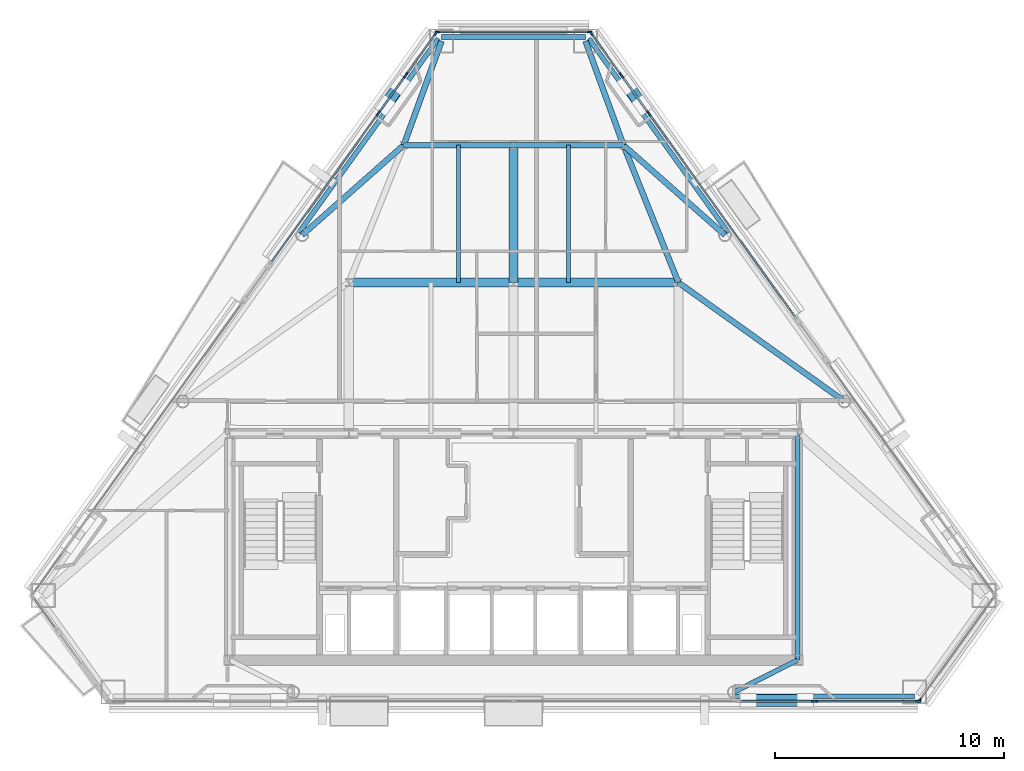
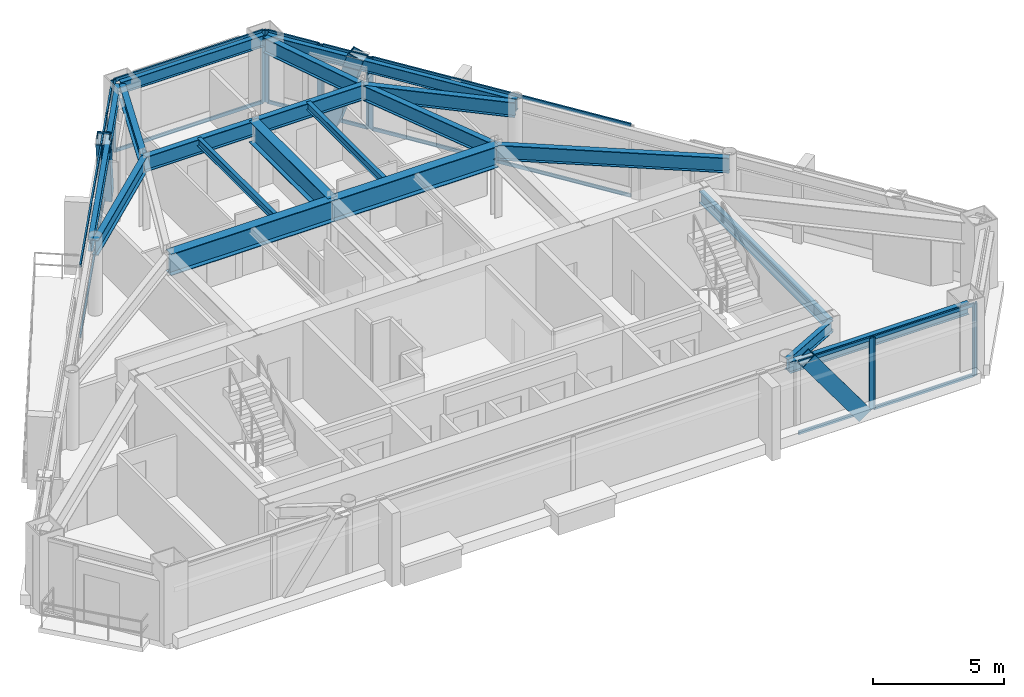
# One storey, part 4 of 11: 37 members, 19 beams, 10 elements without a shape of their own.
"""IFC4 building model written with IfcOpenShell, lengths in metres."""

from ifc_helpers import new_model, si_unit, direction, frame, origin, origin_2d, place, context, subcontext, project, spatial, rectangle, hollow_rectangle, i_section, extrude, material, layer, layer_set, material_profile, profile_set, type_object, element, aggregate, save


model = new_model("IFC4")

# Units and contexts
model_context = context("Model", 3, precision=1e-05, world=origin(), true_north=direction((0.0, 1.0)))
body_context = subcontext(model_context, "Body", "Model", "MODEL_VIEW")
ifc_project = project(units=[si_unit("LENGTHUNIT", "METRE"), si_unit("AREAUNIT", "SQUARE_METRE"), si_unit("VOLUMEUNIT", "CUBIC_METRE"), si_unit("PLANEANGLEUNIT", "RADIAN"), si_unit("MASSUNIT", "GRAM", prefix="KILO")], contexts=[model_context])

# Site, building, storey
site_placement = place(None, origin())
site = spatial("IfcSite", under=ifc_project, at=site_placement, CompositionType="ELEMENT")
building_placement = place(site_placement, origin())
building = spatial("IfcBuilding", under=site, at=building_placement, Name="Talgorran Terracotta Tower", CompositionType="ELEMENT")
storey_placement = place(building_placement, frame((0.0, 0.0, 210.89990234375)))
storey = spatial("IfcBuildingStorey", under=building, at=storey_placement, Name="L55", CompositionType="ELEMENT", Elevation=210.89990234375)

# Beams
ifc_material_1 = material(Name="Steel Grade 350 (350L0)", Category="steel")
ifc_material_profile_1 = material_profile(ifc_material_1, i_section(OverallWidth=0.39990234375, OverallDepth=1.0, WebThickness=0.01611328125, FlangeThickness=0.031005859375, at=origin_2d()), Name="1000WB296")
ifc_profile_set_1 = profile_set([ifc_material_profile_1], Name="Steel Grade 350 (350L0)")
beam_type_1 = type_object("IfcBeamType", Name="BM_1000WB296", PredefinedType="BEAM", material=ifc_profile_set_1)
for number, where, z_axis, x_axis, name in (
    (1, (-7.199951171875, 2.39990234375, 2.84521484375), (1.0, 0.0, 0.0), (0.0, 1.0, 0.0), "L55 Floor Girder G04"),
    (2, (0.0, 2.39990234375, 2.84521484375), (1.0, 0.0, 0.0), (0.0, 1.0, 0.0), "L55 Floor Girder G05"),
):
    element("IfcBeam", number, at=place(storey_placement, frame(where, z_axis=z_axis, x_axis=x_axis)), inside=storey, type_object=beam_type_1, Name=name, PredefinedType="BEAM", context=body_context, shape_type="SweptSolid", body=[
        extrude(i_section(OverallWidth=0.39990234375, OverallDepth=1.0, WebThickness=0.01611328125, FlangeThickness=0.031005859375, at=origin_2d()), origin(), (0.0, 0.0, 1.0), 7.199951171875),
    ])
beam_1_placement = place(storey_placement, frame((0.0, 2.39990234375, 2.84521484375), z_axis=(0.0, 1.0, 0.0), x_axis=(-1.0, 0.0, 0.0)))
element("IfcBeam", 3, at=beam_1_placement, inside=storey, type_object=beam_type_1, Name="L55 Floor Girder G09", PredefinedType="BEAM", context=body_context, shape_type="SweptSolid", body=[
    extrude(i_section(OverallWidth=0.39990234375, OverallDepth=1.0, WebThickness=0.01611328125, FlangeThickness=0.031005859375, at=origin_2d()), origin(), (0.0, 0.0, 1.0), 6.0),
])
ifc_material_2 = material(Name="Steel S355 (300PLUS)", Category="steel")
ifc_material_profile_2 = material_profile(ifc_material_2, i_section(OverallWidth=0.25, OverallDepth=0.699951171875, WebThickness=0.011962890625, FlangeThickness=0.02392578125, at=origin_2d()), Name="700WB150")
ifc_profile_set_2 = profile_set([ifc_material_profile_2], Name="Steel S355 (300PLUS)")
beam_type_2 = type_object("IfcBeamType", Name="BM_700WB150", PredefinedType="BEAM", material=ifc_profile_set_2)
beam_2_placement = place(storey_placement, frame((7.199951171875, 2.39990234375, 2.9951171875), z_axis=(0.813243309998, -0.581923808366, 0.0), x_axis=(0.581923808366, 0.813243309998, 0.0)))
element("IfcBeam", 4, at=beam_2_placement, inside=storey, type_object=beam_type_2, Name="L55 Floor Girder G07", PredefinedType="BEAM", context=body_context, shape_type="SweptSolid", body=[
    extrude(i_section(OverallWidth=0.25, OverallDepth=0.699951171875, WebThickness=0.011962890625, FlangeThickness=0.02392578125, at=origin_2d()), origin(), (0.0, 0.0, 1.0), 8.923583984375),
])
beam_3_placement = place(storey_placement, frame((7.199951171875, 2.39990234375, 2.9951171875), z_axis=(-0.371377648723, 0.928481901832, 0.0), x_axis=(-0.928481901832, -0.371377648723, 0.0)))
element("IfcBeam", 5, at=beam_3_placement, inside=storey, type_object=beam_type_2, Name="L55 Floor Girder G10", PredefinedType="BEAM", context=body_context, shape_type="SweptSolid", body=[
    extrude(i_section(OverallWidth=0.25, OverallDepth=0.699951171875, WebThickness=0.011962890625, FlangeThickness=0.02392578125, at=origin_2d()), origin(), (0.0, 0.0, 1.0), 6.462158203125),
])
for number, where, z_axis, x_axis, name in (
    (6, (-4.800048828125, 8.39990234375, 2.9951171875), (1.0, 0.0, 0.0), (0.0, 1.0, 0.0), "L55 Floor Girder G11"),
    (7, (0.0, 8.39990234375, 2.9951171875), (1.0, 0.0, 0.0), (0.0, 1.0, 0.0), "L55 Floor Girder G12"),
):
    element("IfcBeam", number, at=place(storey_placement, frame(where, z_axis=z_axis, x_axis=x_axis)), inside=storey, type_object=beam_type_2, Name=name, PredefinedType="BEAM", context=body_context, shape_type="SweptSolid", body=[
        extrude(i_section(OverallWidth=0.25, OverallDepth=0.699951171875, WebThickness=0.011962890625, FlangeThickness=0.02392578125, at=origin_2d()), origin(), (0.0, 0.0, 1.0), 4.800048828125),
    ])
for number, where, z_axis, x_axis, name in (
    (8, (-4.800048828125, 8.39990234375, 2.9951171875), (-0.748742442486, -0.662861037338, 0.0), (0.662861037338, -0.748742442486, 0.0), "L55 Floor Girder G13"),
    (9, (4.800048828125, 8.39990234375, 2.9951171875), (0.748742442486, -0.662861037338, 0.0), (0.662861037338, 0.748742442486, 0.0), "L55 Floor Girder G14"),
):
    element("IfcBeam", number, at=place(storey_placement, frame(where, z_axis=z_axis, x_axis=x_axis)), inside=storey, type_object=beam_type_2, Name=name, PredefinedType="BEAM", context=body_context, shape_type="SweptSolid", body=[
        extrude(i_section(OverallWidth=0.25, OverallDepth=0.699951171875, WebThickness=0.011962890625, FlangeThickness=0.02392578125, at=origin_2d()), origin(), (0.0, 0.0, 1.0), 5.92431640625),
    ])
for number, where, z_axis, x_axis, name in (
    (10, (-4.800048828125, 8.39990234375, 2.9951171875), (0.341933346836, 0.939724207585, 0.0), (-0.939724207585, 0.341933346836, 0.0), "L55 Floor Girder G15"),
    (11, (4.800048828125, 8.39990234375, 2.9951171875), (-0.341933346836, 0.939724207585, 0.0), (-0.939724207585, -0.341933346836, 0.0), "L55 Floor Girder G16"),
):
    element("IfcBeam", number, at=place(storey_placement, frame(where, z_axis=z_axis, x_axis=x_axis)), inside=storey, type_object=beam_type_2, Name=name, PredefinedType="BEAM", context=body_context, shape_type="SweptSolid", body=[
        extrude(i_section(OverallWidth=0.25, OverallDepth=0.699951171875, WebThickness=0.011962890625, FlangeThickness=0.02392578125, at=origin_2d()), origin(), (0.0, 0.0, 1.0), 4.841552734375),
    ])
ifc_material_profile_3 = material_profile(ifc_material_2, i_section(OverallWidth=0.17138671875, OverallDepth=0.355712890625, WebThickness=0.00732421875, FlangeThickness=0.011474609375, at=origin_2d()), Name="360UB50.7")
ifc_profile_set_3 = profile_set([ifc_material_profile_3], Name="Steel S355 (300PLUS)")
beam_type_3 = type_object("IfcBeamType", Name="BM_JS_360UB51", PredefinedType="JOIST", material=ifc_profile_set_3)
for number, where, z_axis, x_axis, name in (
    (12, (-2.39990234375, 2.39990234375, 3.167236328125), (0.0, 1.0, 0.0), (-1.0, 0.0, 0.0), "L55 Secondary Joist J03"),
    (13, (2.39990234375, 2.39990234375, 3.167236328125), (0.0, 1.0, 0.0), (-1.0, 0.0, 0.0), "L55 Secondary Joist J04"),
):
    element("IfcBeam", number, at=place(storey_placement, frame(where, z_axis=z_axis, x_axis=x_axis)), inside=storey, type_object=beam_type_3, Name=name, PredefinedType="JOIST", context=body_context, shape_type="SweptSolid", body=[
        extrude(i_section(OverallWidth=0.17138671875, OverallDepth=0.355712890625, WebThickness=0.00732421875, FlangeThickness=0.011474609375, at=origin_2d()), origin(), (0.0, 0.0, 1.0), 6.0),
    ])
ifc_material_profile_4 = material_profile(ifc_material_2, i_section(OverallWidth=0.209228515625, OverallDepth=0.532958984375, WebThickness=0.01025390625, FlangeThickness=0.015625, at=origin_2d()), Name="530UB92.4")
ifc_profile_set_4 = profile_set([ifc_material_profile_4], Name="Steel S355 (300PLUS)")
beam_type_4 = type_object("IfcBeamType", Name="BM_SP_530UB92", PredefinedType="SPANDREL", material=ifc_profile_set_4)
beam_4_placement = place(storey_placement, frame((9.630859375, -15.6767578125, 3.07861328125), z_axis=(1.0, 0.0, 0.0), x_axis=(0.0, 1.0, 0.0)))
element("IfcBeam", 14, at=beam_4_placement, inside=storey, type_object=beam_type_4, Name="L55 Perimeter Spandrel Beam FC2-MC3", PredefinedType="SPANDREL", context=body_context, shape_type="SweptSolid", body=[
    extrude(i_section(OverallWidth=0.209228515625, OverallDepth=0.532958984375, WebThickness=0.01025390625, FlangeThickness=0.015625, at=origin_2d()), origin(), (0.0, 0.0, 1.0), 7.8798828125),
])
beam_5_placement = place(storey_placement, frame((9.382080078125, 4.577880859375, 3.07861328125), z_axis=(-0.583547851422, 0.812078755479, 0.0), x_axis=(-0.812078755479, -0.583547851422, 0.0)))
element("IfcBeam", 15, at=beam_5_placement, inside=storey, type_object=beam_type_4, Name="L55 Perimeter Spandrel Beam FC4-MC5", PredefinedType="SPANDREL", context=body_context, shape_type="SweptSolid", body=[
    extrude(i_section(OverallWidth=0.209228515625, OverallDepth=0.532958984375, WebThickness=0.01025390625, FlangeThickness=0.015625, at=origin_2d()), origin(), (0.0, 0.0, 1.0), 10.4384765625),
])
beam_6_placement = place(storey_placement, frame((3.14453125, 13.129638671875, 3.07861328125), z_axis=(-1.0, 0.0, 0.0), x_axis=(0.0, -1.0, 0.0)))
element("IfcBeam", 16, at=beam_6_placement, inside=storey, type_object=beam_type_4, Name="L55 Perimeter Spandrel Beam MC5-MC6", PredefinedType="SPANDREL", context=body_context, shape_type="SweptSolid", body=[
    extrude(i_section(OverallWidth=0.209228515625, OverallDepth=0.532958984375, WebThickness=0.01025390625, FlangeThickness=0.015625, at=origin_2d()), origin(), (0.0, 0.0, 1.0), 6.2890625),
])
beam_7_placement = place(storey_placement, frame((-3.290771484375, 13.0546875, 3.07861328125), z_axis=(-0.583547851422, -0.812078755479, 0.0), x_axis=(0.812078755479, -0.583547851422, 0.0)))
element("IfcBeam", 17, at=beam_7_placement, inside=storey, type_object=beam_type_4, Name="L55 Perimeter Spandrel Beam MC6-FC5", PredefinedType="SPANDREL", context=body_context, shape_type="SweptSolid", body=[
    extrude(i_section(OverallWidth=0.209228515625, OverallDepth=0.532958984375, WebThickness=0.01025390625, FlangeThickness=0.015625, at=origin_2d()), origin(), (0.0, 0.0, 1.0), 10.4384765625),
])
beam_8_placement = place(storey_placement, frame((12.39990234375, -14.10009765625, 3.07861328125), z_axis=(-0.892878892076, -0.450296884383, 0.0), x_axis=(0.450296884383, -0.892878892076, 0.0)))
element("IfcBeam", 18, at=beam_8_placement, inside=storey, type_object=beam_type_4, Name="L55 South-East Core Tie Beam", PredefinedType="SPANDREL", context=body_context, shape_type="SweptSolid", body=[
    extrude(i_section(OverallWidth=0.209228515625, OverallDepth=0.532958984375, WebThickness=0.01025390625, FlangeThickness=0.015625, at=origin_2d()), origin(), (0.0, 0.0, 1.0), 3.101318359375),
])
beam_9_placement = place(storey_placement, frame((12.39990234375, -14.10009765625, 3.07861328125), z_axis=(0.0, 1.0, 0.0), x_axis=(-1.0, 0.0, 0.0)))
element("IfcBeam", 19, at=beam_9_placement, inside=storey, type_object=beam_type_4, Name="L55 Core Frame Beam CFE", PredefinedType="SPANDREL", context=body_context, shape_type="SweptSolid", body=[
    extrude(i_section(OverallWidth=0.209228515625, OverallDepth=0.532958984375, WebThickness=0.01025390625, FlangeThickness=0.015625, at=origin_2d()), origin(), (0.0, 0.0, 1.0), 9.900146484375),
])

# Members
ifc_material_profile_5 = material_profile(ifc_material_1, hollow_rectangle(XDim=0.52001953125, YDim=0.659912109375, WallThickness=0.034912109375, at=origin_2d()), Name="WBOX660X520X35")
ifc_profile_set_5 = profile_set([ifc_material_profile_5], Name="Steel Grade 350 (350L0)")
member_type_1 = type_object("IfcMemberType", Name="MB_MEGA_660", PredefinedType="BRACE", material=ifc_profile_set_5)
member_1_placement = place(storey_placement, frame((12.740478515625, -15.856689453125, -0.02490234375), z_axis=(-0.589445506836, 0.0, 0.807808142117), x_axis=(0.0, -1.0, 0.0)))
element("IfcMember", 20, at=member_1_placement, inside=storey, type_object=member_type_1, Name="L55 Exterior Face Mega-Brace MB-3 (SEF)", PredefinedType="BRACE", context=body_context, shape_type="SweptSolid", body=[
    extrude(hollow_rectangle(XDim=0.52001953125, YDim=0.659912109375, WallThickness=0.034912109375, at=origin_2d()), origin(), (0.0, 0.0, 1.0), 4.20263671875),
])
for number, where, z_axis, x_axis, name in (
    (21, (4.9541015625, 11.04833984375, -0.02490234375), (0.182817156925, -0.254386966584, 0.949665814045), (0.812050884366, 0.583586635557, 0.0), "L55 Exterior Face Mega-Brace MB-3 (NEU)"),
    (22, (-4.9541015625, 11.04833984375, -0.02490234375), (-0.182817156925, -0.254386966584, 0.949665814045), (0.812050884366, -0.583586635557, 0.0), "L55 Exterior Face Mega-Brace MB-3 (NWU)"),
):
    element("IfcMember", number, at=place(storey_placement, frame(where, z_axis=z_axis, x_axis=x_axis)), inside=storey, type_object=member_type_1, Name=name, PredefinedType="BRACE", context=body_context, shape_type="SweptSolid", body=[
        extrude(hollow_rectangle(XDim=0.52001953125, YDim=0.659912109375, WallThickness=0.034912109375, at=origin_2d()), origin(), (0.0, 0.0, 1.0), 3.574951171875),
    ])

# Curtain wall, member
ifc_material_3 = material(Name="High-Wind Unitised Glazing", Category="glass")
ifc_layer = layer(ifc_material_3, 0.2099609375, Name="CW_SYS3_RES_HIGH")
ifc_layer_set = layer_set([ifc_layer], Name="High-Wind Unitised Glazing")
curtain_wall_type = type_object("IfcCurtainWallType", Name="CW_SYS3_RES_HIGH", PredefinedType="NOTDEFINED", material=ifc_layer_set)
curtain_wall_1_placement = place(storey_placement, origin())
curtain_wall_1 = element("IfcCurtainWall", 23, at=curtain_wall_1_placement, inside=storey, type_object=curtain_wall_type, Name="CW-L55-F1D", PredefinedType="NOTDEFINED")
ifc_material_4 = material(Name="Architectural Aluminium 6063-T6", Category="aluminium")
ifc_material_profile_6 = material_profile(ifc_material_4, rectangle(XDim=0.070068359375, YDim=0.199951171875, at=origin_2d()), Name="CWM70X200")
ifc_profile_set_6 = profile_set([ifc_material_profile_6], Name="Architectural Aluminium 6063-T6")
member_type_2 = type_object("IfcMemberType", Name="MUL_70X200", PredefinedType="MULLION", material=ifc_profile_set_6)
member_2_placement = place(storey_placement, frame((13.1171875, -15.896728515625, 0.0), z_axis=(0.0, 0.0, 1.0), x_axis=(0.0, 1.0, 0.0)))
member_2 = element("IfcMember", 24, at=member_2_placement, type_object=member_type_2, Name="CW-L55-1D mullion 2", PredefinedType="MULLION", context=body_context, shape_type="SweptSolid", body=[
    extrude(rectangle(XDim=0.070068359375, YDim=0.199951171875, at=origin_2d()), origin(), (0.0, 0.0, 1.0), 3.34521484375),
])

# Curtain wall, members
curtain_wall_2_placement = place(storey_placement, origin())
curtain_wall_2 = element("IfcCurtainWall", 25, at=curtain_wall_2_placement, inside=storey, type_object=curtain_wall_type, Name="CW-L55-F1E", PredefinedType="NOTDEFINED")
member_3_placement = place(storey_placement, frame((13.197265625, -15.896728515625, 0.0), z_axis=(0.0, 0.0, 1.0), x_axis=(0.0, 1.0, 0.0)))
member_3 = element("IfcMember", 26, at=member_3_placement, type_object=member_type_2, Name="CW-L55-1E mullion 1", PredefinedType="MULLION", context=body_context, shape_type="SweptSolid", body=[
    extrude(rectangle(XDim=0.070068359375, YDim=0.199951171875, at=origin_2d()), origin(), (0.0, 0.0, 1.0), 3.34521484375),
])
member_4_placement = place(storey_placement, frame((17.680908203125, -15.896728515625, 0.0), z_axis=(0.0, 0.0, 1.0), x_axis=(0.0, 1.0, 0.0)))
member_4 = element("IfcMember", 27, at=member_4_placement, type_object=member_type_2, Name="CW-L55-1E mullion 2", PredefinedType="MULLION", context=body_context, shape_type="SweptSolid", body=[
    extrude(rectangle(XDim=0.070068359375, YDim=0.199951171875, at=origin_2d()), origin(), (0.0, 0.0, 1.0), 3.34521484375),
])

# Curtain wall, member
curtain_wall_3_placement = place(storey_placement, origin())
curtain_wall_3 = element("IfcCurtainWall", 28, at=curtain_wall_3_placement, inside=storey, type_object=curtain_wall_type, Name="CW-L55-F2", PredefinedType="NOTDEFINED")
member_5_placement = place(storey_placement, frame((17.736328125, -15.8681640625, 0.0), z_axis=(0.0, 0.0, 1.0), x_axis=(-0.812075928954, 0.58355178486, 0.0)))
member_5 = element("IfcMember", 29, at=member_5_placement, type_object=member_type_2, Name="CW-L55-2 mullion 1", PredefinedType="MULLION", context=body_context, shape_type="SweptSolid", body=[
    extrude(rectangle(XDim=0.070068359375, YDim=0.199951171875, at=origin_2d()), origin(), (0.0, 0.0, 1.0), 3.34521484375),
])
aggregate(curtain_wall_3, [member_5])

curtain_wall_4_placement = place(storey_placement, origin())
curtain_wall_4 = element("IfcCurtainWall", 30, at=curtain_wall_4_placement, inside=storey, type_object=curtain_wall_type, Name="CW-L55-F41", PredefinedType="NOTDEFINED")
member_6_placement = place(storey_placement, frame((5.933837890625, 9.75341796875, 0.0), z_axis=(0.0, 0.0, 1.0), x_axis=(-0.812078928223, -0.583547611028, 0.0)))
member_6 = element("IfcMember", 31, at=member_6_placement, type_object=member_type_2, Name="CW-L55-41 mullion 2", PredefinedType="MULLION", context=body_context, shape_type="SweptSolid", body=[
    extrude(rectangle(XDim=0.070068359375, YDim=0.199951171875, at=origin_2d()), origin(), (0.0, 0.0, 1.0), 3.34521484375),
])

# Curtain wall, members
curtain_wall_5_placement = place(storey_placement, origin())
curtain_wall_5 = element("IfcCurtainWall", 32, at=curtain_wall_5_placement, inside=storey, type_object=curtain_wall_type, Name="CW-L55-F41B", PredefinedType="NOTDEFINED")
member_7_placement = place(storey_placement, frame((5.88720703125, 9.818359375, 0.0), z_axis=(0.0, 0.0, 1.0), x_axis=(-0.81207136039, -0.583558142462, 0.0)))
member_7 = element("IfcMember", 33, at=member_7_placement, type_object=member_type_2, Name="CW-L55-41B mullion 1", PredefinedType="MULLION", context=body_context, shape_type="SweptSolid", body=[
    extrude(rectangle(XDim=0.070068359375, YDim=0.199951171875, at=origin_2d()), origin(), (0.0, 0.0, 1.0), 3.34521484375),
])
member_8_placement = place(storey_placement, frame((4.73974609375, 11.41552734375, 0.0), z_axis=(0.0, 0.0, 1.0), x_axis=(-0.81207136039, -0.583558142462, 0.0)))
member_8 = element("IfcMember", 34, at=member_8_placement, type_object=member_type_2, Name="CW-L55-41B mullion 2", PredefinedType="MULLION", context=body_context, shape_type="SweptSolid", body=[
    extrude(rectangle(XDim=0.070068359375, YDim=0.199951171875, at=origin_2d()), origin(), (0.0, 0.0, 1.0), 3.34521484375),
])

curtain_wall_6_placement = place(storey_placement, origin())
curtain_wall_6 = element("IfcCurtainWall", 35, at=curtain_wall_6_placement, inside=storey, type_object=curtain_wall_type, Name="CW-L55-F41C", PredefinedType="NOTDEFINED")
member_9_placement = place(storey_placement, frame((4.69287109375, 11.48046875, 0.0), z_axis=(0.0, 0.0, 1.0), x_axis=(-0.812085653679, -0.583538251607, 0.0)))
member_9 = element("IfcMember", 36, at=member_9_placement, type_object=member_type_2, Name="CW-L55-41C mullion 1", PredefinedType="MULLION", context=body_context, shape_type="SweptSolid", body=[
    extrude(rectangle(XDim=0.070068359375, YDim=0.199951171875, at=origin_2d()), origin(), (0.0, 0.0, 1.0), 3.34521484375),
])
member_10_placement = place(storey_placement, frame((3.3935546875, 13.28857421875, 0.0), z_axis=(0.0, 0.0, 1.0), x_axis=(-0.812085653679, -0.583538251607, 0.0)))
member_10 = element("IfcMember", 37, at=member_10_placement, type_object=member_type_2, Name="CW-L55-41C mullion 2", PredefinedType="MULLION", context=body_context, shape_type="SweptSolid", body=[
    extrude(rectangle(XDim=0.070068359375, YDim=0.199951171875, at=origin_2d()), origin(), (0.0, 0.0, 1.0), 3.34521484375),
])

curtain_wall_7_placement = place(storey_placement, origin())
curtain_wall_7 = element("IfcCurtainWall", 38, at=curtain_wall_7_placement, inside=storey, type_object=curtain_wall_type, Name="CW-L55-F4", PredefinedType="NOTDEFINED")
member_11_placement = place(storey_placement, frame((3.314697265625, 13.349609375, 0.0), z_axis=(0.0, 0.0, 1.0), x_axis=(0.0, -1.0, 0.0)))
member_11 = element("IfcMember", 39, at=member_11_placement, type_object=member_type_2, Name="CW-L55-4 mullion 1", PredefinedType="MULLION", context=body_context, shape_type="SweptSolid", body=[
    extrude(rectangle(XDim=0.070068359375, YDim=0.199951171875, at=origin_2d()), origin(), (0.0, 0.0, 1.0), 3.34521484375),
])
member_12_placement = place(storey_placement, frame((-3.314697265625, 13.349609375, 0.0), z_axis=(0.0, 0.0, 1.0), x_axis=(0.0, -1.0, 0.0)))
member_12 = element("IfcMember", 40, at=member_12_placement, type_object=member_type_2, Name="CW-L55-4 mullion 2", PredefinedType="MULLION", context=body_context, shape_type="SweptSolid", body=[
    extrude(rectangle(XDim=0.070068359375, YDim=0.199951171875, at=origin_2d()), origin(), (0.0, 0.0, 1.0), 3.34521484375),
])

curtain_wall_8_placement = place(storey_placement, origin())
curtain_wall_8 = element("IfcCurtainWall", 41, at=curtain_wall_8_placement, inside=storey, type_object=curtain_wall_type, Name="CW-L55-F60", PredefinedType="NOTDEFINED")
member_13_placement = place(storey_placement, frame((-3.3935546875, 13.28857421875, 0.0), z_axis=(0.0, 0.0, 1.0), x_axis=(0.812065020295, -0.583566965149, 0.0)))
member_13 = element("IfcMember", 42, at=member_13_placement, type_object=member_type_2, Name="CW-L55-60 mullion 1", PredefinedType="MULLION", context=body_context, shape_type="SweptSolid", body=[
    extrude(rectangle(XDim=0.070068359375, YDim=0.199951171875, at=origin_2d()), origin(), (0.0, 0.0, 1.0), 3.34521484375),
])
member_14_placement = place(storey_placement, frame((-4.69287109375, 11.48046875, 0.0), z_axis=(0.0, 0.0, 1.0), x_axis=(0.812065020295, -0.583566965149, 0.0)))
member_14 = element("IfcMember", 43, at=member_14_placement, type_object=member_type_2, Name="CW-L55-60 mullion 2", PredefinedType="MULLION", context=body_context, shape_type="SweptSolid", body=[
    extrude(rectangle(XDim=0.070068359375, YDim=0.199951171875, at=origin_2d()), origin(), (0.0, 0.0, 1.0), 3.34521484375),
])

curtain_wall_9_placement = place(storey_placement, origin())
curtain_wall_9 = element("IfcCurtainWall", 44, at=curtain_wall_9_placement, inside=storey, type_object=curtain_wall_type, Name="CW-L55-F60B", PredefinedType="NOTDEFINED")
member_15_placement = place(storey_placement, frame((-4.73974609375, 11.41552734375, 0.0), z_axis=(0.0, 0.0, 1.0), x_axis=(0.81207136039, -0.583558142462, 0.0)))
member_15 = element("IfcMember", 45, at=member_15_placement, type_object=member_type_2, Name="CW-L55-60B mullion 1", PredefinedType="MULLION", context=body_context, shape_type="SweptSolid", body=[
    extrude(rectangle(XDim=0.070068359375, YDim=0.199951171875, at=origin_2d()), origin(), (0.0, 0.0, 1.0), 3.34521484375),
])
member_16_placement = place(storey_placement, frame((-5.88720703125, 9.818359375, 0.0), z_axis=(0.0, 0.0, 1.0), x_axis=(0.81207136039, -0.583558142462, 0.0)))
member_16 = element("IfcMember", 46, at=member_16_placement, type_object=member_type_2, Name="CW-L55-60B mullion 2", PredefinedType="MULLION", context=body_context, shape_type="SweptSolid", body=[
    extrude(rectangle(XDim=0.070068359375, YDim=0.199951171875, at=origin_2d()), origin(), (0.0, 0.0, 1.0), 3.34521484375),
])

# Curtain wall, member
curtain_wall_10_placement = place(storey_placement, origin())
curtain_wall_10 = element("IfcCurtainWall", 47, at=curtain_wall_10_placement, inside=storey, type_object=curtain_wall_type, Name="CW-L55-F60C", PredefinedType="NOTDEFINED")
member_17_placement = place(storey_placement, frame((-5.933837890625, 9.75341796875, 0.0), z_axis=(0.0, 0.0, 1.0), x_axis=(0.812071855758, -0.583557453114, 0.0)))
member_17 = element("IfcMember", 48, at=member_17_placement, type_object=member_type_2, Name="CW-L55-60C mullion 1", PredefinedType="MULLION", context=body_context, shape_type="SweptSolid", body=[
    extrude(rectangle(XDim=0.070068359375, YDim=0.199951171875, at=origin_2d()), origin(), (0.0, 0.0, 1.0), 3.34521484375),
])

# Member
ifc_material_profile_7 = material_profile(ifc_material_4, rectangle(XDim=0.070068359375, YDim=0.159912109375, at=origin_2d()), Name="CWT70X160")
ifc_profile_set_7 = profile_set([ifc_material_profile_7], Name="Architectural Aluminium 6063-T6")
member_type_3 = type_object("IfcMemberType", Name="TRN_70X160", PredefinedType="USERDEFINED", material=ifc_profile_set_7)
member_18_placement = place(storey_placement, frame((9.921630859375, -15.896728515625, 0.03515625), z_axis=(1.0, 0.0, 0.0), x_axis=(0.0, 1.0, 0.0)))
member_18 = element("IfcMember", 49, at=member_18_placement, type_object=member_type_3, Name="CW-L55-1D transom 1.1", ObjectType="TRANSOM", PredefinedType="USERDEFINED", context=body_context, shape_type="SweptSolid", body=[
    extrude(rectangle(XDim=0.070068359375, YDim=0.159912109375, at=origin_2d()), origin(), (0.0, 0.0, 1.0), 3.16064453125),
])

member_19_placement = place(storey_placement, frame((9.921630859375, -15.896728515625, 3.31005859375), z_axis=(1.0, 0.0, 0.0), x_axis=(0.0, 1.0, 0.0)))
member_19 = element("IfcMember", 50, at=member_19_placement, type_object=member_type_3, Name="CW-L55-1D transom 1.2", ObjectType="TRANSOM", PredefinedType="USERDEFINED", context=body_context, shape_type="SweptSolid", body=[
    extrude(rectangle(XDim=0.070068359375, YDim=0.159912109375, at=origin_2d()), origin(), (0.0, 0.0, 1.0), 3.16064453125),
])

aggregate(curtain_wall_1, [member_2, member_18, member_19])

member_20_placement = place(storey_placement, frame((13.232177734375, -15.896728515625, 0.03515625), z_axis=(1.0, 0.0, 0.0), x_axis=(0.0, 1.0, 0.0)))
member_20 = element("IfcMember", 51, at=member_20_placement, type_object=member_type_3, Name="CW-L55-1E transom 1.1", ObjectType="TRANSOM", PredefinedType="USERDEFINED", context=body_context, shape_type="SweptSolid", body=[
    extrude(rectangle(XDim=0.070068359375, YDim=0.159912109375, at=origin_2d()), origin(), (0.0, 0.0, 1.0), 4.413818359375),
])

member_21_placement = place(storey_placement, frame((13.232177734375, -15.896728515625, 3.31005859375), z_axis=(1.0, 0.0, 0.0), x_axis=(0.0, 1.0, 0.0)))
member_21 = element("IfcMember", 52, at=member_21_placement, type_object=member_type_3, Name="CW-L55-1E transom 1.2", ObjectType="TRANSOM", PredefinedType="USERDEFINED", context=body_context, shape_type="SweptSolid", body=[
    extrude(rectangle(XDim=0.070068359375, YDim=0.159912109375, at=origin_2d()), origin(), (0.0, 0.0, 1.0), 4.413818359375),
])

aggregate(curtain_wall_2, [member_3, member_4, member_20, member_21])

member_22_placement = place(storey_placement, frame((12.27685546875, 0.9267578125, 0.03515625), z_axis=(-0.583557111896, 0.812072100958, 0.0), x_axis=(-0.812072100958, -0.583557111896, 0.0)))
member_22 = element("IfcMember", 53, at=member_22_placement, type_object=member_type_3, Name="CW-L55-41 transom 1.1", ObjectType="TRANSOM", PredefinedType="USERDEFINED", context=body_context, shape_type="SweptSolid", body=[
    extrude(rectangle(XDim=0.070068359375, YDim=0.159912109375, at=origin_2d()), origin(), (0.0, 0.0, 1.0), 10.83447265625),
])

member_23_placement = place(storey_placement, frame((12.27685546875, 0.9267578125, 3.31005859375), z_axis=(-0.583557111896, 0.812072100958, 0.0), x_axis=(-0.812072100958, -0.583557111896, 0.0)))
member_23 = element("IfcMember", 54, at=member_23_placement, type_object=member_type_3, Name="CW-L55-41 transom 1.2", ObjectType="TRANSOM", PredefinedType="USERDEFINED", context=body_context, shape_type="SweptSolid", body=[
    extrude(rectangle(XDim=0.070068359375, YDim=0.159912109375, at=origin_2d()), origin(), (0.0, 0.0, 1.0), 10.83447265625),
])

aggregate(curtain_wall_4, [member_6, member_22, member_23])

member_24_placement = place(storey_placement, frame((5.866943359375, 9.846923828125, 0.03515625), z_axis=(-0.583646657898, 0.812007745483, 0.0), x_axis=(-0.812007745483, -0.583646657898, 0.0)))
member_24 = element("IfcMember", 55, at=member_24_placement, type_object=member_type_3, Name="CW-L55-41B transom 1.1", ObjectType="TRANSOM", PredefinedType="USERDEFINED", context=body_context, shape_type="SweptSolid", body=[
    extrude(rectangle(XDim=0.070068359375, YDim=0.159912109375, at=origin_2d()), origin(), (0.0, 0.0, 1.0), 1.896484375),
])

member_25_placement = place(storey_placement, frame((5.866943359375, 9.846923828125, 3.31005859375), z_axis=(-0.583646657898, 0.812007745483, 0.0), x_axis=(-0.812007745483, -0.583646657898, 0.0)))
member_25 = element("IfcMember", 56, at=member_25_placement, type_object=member_type_3, Name="CW-L55-41B transom 1.2", ObjectType="TRANSOM", PredefinedType="USERDEFINED", context=body_context, shape_type="SweptSolid", body=[
    extrude(rectangle(XDim=0.070068359375, YDim=0.159912109375, at=origin_2d()), origin(), (0.0, 0.0, 1.0), 1.896484375),
])

aggregate(curtain_wall_5, [member_7, member_8, member_24, member_25])

member_26_placement = place(storey_placement, frame((4.67236328125, 11.5087890625, 0.03515625), z_axis=(-0.583463419597, 0.812139420292, 0.0), x_axis=(-0.812139420292, -0.583463419597, 0.0)))
member_26 = element("IfcMember", 57, at=member_26_placement, type_object=member_type_3, Name="CW-L55-41C transom 1.1", ObjectType="TRANSOM", PredefinedType="USERDEFINED", context=body_context, shape_type="SweptSolid", body=[
    extrude(rectangle(XDim=0.070068359375, YDim=0.159912109375, at=origin_2d()), origin(), (0.0, 0.0, 1.0), 2.156494140625),
])

member_27_placement = place(storey_placement, frame((4.67236328125, 11.5087890625, 3.31005859375), z_axis=(-0.583463419597, 0.812139420292, 0.0), x_axis=(-0.812139420292, -0.583463419597, 0.0)))
member_27 = element("IfcMember", 58, at=member_27_placement, type_object=member_type_3, Name="CW-L55-41C transom 1.2", ObjectType="TRANSOM", PredefinedType="USERDEFINED", context=body_context, shape_type="SweptSolid", body=[
    extrude(rectangle(XDim=0.070068359375, YDim=0.159912109375, at=origin_2d()), origin(), (0.0, 0.0, 1.0), 2.156494140625),
])

aggregate(curtain_wall_6, [member_9, member_10, member_26, member_27])

member_28_placement = place(storey_placement, frame((3.27978515625, 13.349609375, 0.03515625), z_axis=(-1.0, 0.0, 0.0), x_axis=(0.0, -1.0, 0.0)))
member_28 = element("IfcMember", 59, at=member_28_placement, type_object=member_type_3, Name="CW-L55-4 transom 1.1", ObjectType="TRANSOM", PredefinedType="USERDEFINED", context=body_context, shape_type="SweptSolid", body=[
    extrude(rectangle(XDim=0.070068359375, YDim=0.159912109375, at=origin_2d()), origin(), (0.0, 0.0, 1.0), 6.5595703125),
])

member_29_placement = place(storey_placement, frame((3.27978515625, 13.349609375, 3.31005859375), z_axis=(-1.0, 0.0, 0.0), x_axis=(0.0, -1.0, 0.0)))
member_29 = element("IfcMember", 60, at=member_29_placement, type_object=member_type_3, Name="CW-L55-4 transom 1.2", ObjectType="TRANSOM", PredefinedType="USERDEFINED", context=body_context, shape_type="SweptSolid", body=[
    extrude(rectangle(XDim=0.070068359375, YDim=0.159912109375, at=origin_2d()), origin(), (0.0, 0.0, 1.0), 6.5595703125),
])

aggregate(curtain_wall_7, [member_11, member_12, member_28, member_29])

member_30_placement = place(storey_placement, frame((-3.4140625, 13.26025390625, 0.03515625), z_axis=(-0.583538079491, -0.812085777356, 0.0), x_axis=(0.812085777356, -0.583538079491, 0.0)))
member_30 = element("IfcMember", 61, at=member_30_placement, type_object=member_type_3, Name="CW-L55-60 transom 1.1", ObjectType="TRANSOM", PredefinedType="USERDEFINED", context=body_context, shape_type="SweptSolid", body=[
    extrude(rectangle(XDim=0.070068359375, YDim=0.159912109375, at=origin_2d()), origin(), (0.0, 0.0, 1.0), 2.15673828125),
])

member_31_placement = place(storey_placement, frame((-3.4140625, 13.26025390625, 3.31005859375), z_axis=(-0.583538079491, -0.812085777356, 0.0), x_axis=(0.812085777356, -0.583538079491, 0.0)))
member_31 = element("IfcMember", 62, at=member_31_placement, type_object=member_type_3, Name="CW-L55-60 transom 1.2", ObjectType="TRANSOM", PredefinedType="USERDEFINED", context=body_context, shape_type="SweptSolid", body=[
    extrude(rectangle(XDim=0.070068359375, YDim=0.159912109375, at=origin_2d()), origin(), (0.0, 0.0, 1.0), 2.15673828125),
])

aggregate(curtain_wall_8, [member_13, member_14, member_30, member_31])

member_32_placement = place(storey_placement, frame((-4.760009765625, 11.386962890625, 0.03515625), z_axis=(-0.583646657898, -0.812007745483, 0.0), x_axis=(0.812007745483, -0.583646657898, 0.0)))
member_32 = element("IfcMember", 63, at=member_32_placement, type_object=member_type_3, Name="CW-L55-60B transom 1.1", ObjectType="TRANSOM", PredefinedType="USERDEFINED", context=body_context, shape_type="SweptSolid", body=[
    extrude(rectangle(XDim=0.070068359375, YDim=0.159912109375, at=origin_2d()), origin(), (0.0, 0.0, 1.0), 1.896484375),
])

member_33_placement = place(storey_placement, frame((-4.760009765625, 11.386962890625, 3.31005859375), z_axis=(-0.583646657898, -0.812007745483, 0.0), x_axis=(0.812007745483, -0.583646657898, 0.0)))
member_33 = element("IfcMember", 64, at=member_33_placement, type_object=member_type_3, Name="CW-L55-60B transom 1.2", ObjectType="TRANSOM", PredefinedType="USERDEFINED", context=body_context, shape_type="SweptSolid", body=[
    extrude(rectangle(XDim=0.070068359375, YDim=0.159912109375, at=origin_2d()), origin(), (0.0, 0.0, 1.0), 1.896484375),
])

aggregate(curtain_wall_9, [member_15, member_16, member_32, member_33])

member_34_placement = place(storey_placement, frame((-5.954345703125, 9.72509765625, 0.03515625), z_axis=(-0.58356201764, -0.812068575656, 0.0), x_axis=(0.812068575656, -0.58356201764, 0.0)))
member_34 = element("IfcMember", 65, at=member_34_placement, type_object=member_type_3, Name="CW-L55-60C transom 1.1", ObjectType="TRANSOM", PredefinedType="USERDEFINED", context=body_context, shape_type="SweptSolid", body=[
    extrude(rectangle(XDim=0.070068359375, YDim=0.159912109375, at=origin_2d()), origin(), (0.0, 0.0, 1.0), 7.8828125),
])

member_35_placement = place(storey_placement, frame((-5.954345703125, 9.72509765625, 3.31005859375), z_axis=(-0.58356201764, -0.812068575656, 0.0), x_axis=(0.812068575656, -0.58356201764, 0.0)))
member_35 = element("IfcMember", 66, at=member_35_placement, type_object=member_type_3, Name="CW-L55-60C transom 1.2", ObjectType="TRANSOM", PredefinedType="USERDEFINED", context=body_context, shape_type="SweptSolid", body=[
    extrude(rectangle(XDim=0.070068359375, YDim=0.159912109375, at=origin_2d()), origin(), (0.0, 0.0, 1.0), 7.8828125),
])

aggregate(curtain_wall_10, [member_17, member_34, member_35])

save(model, "model.ifc")
